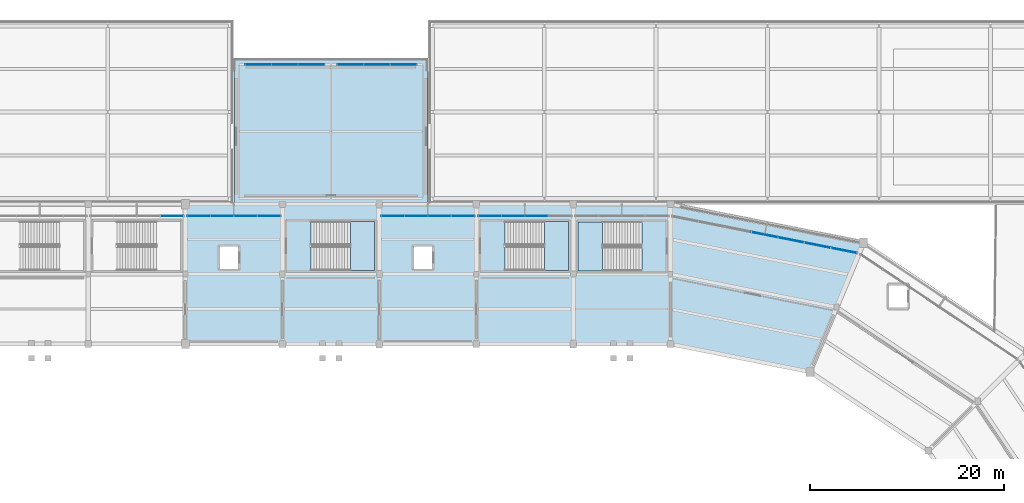
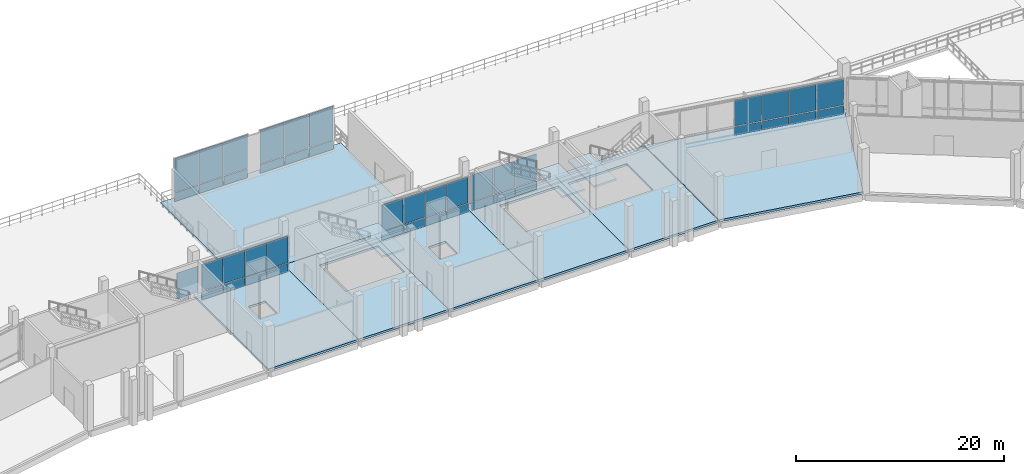
# One storey, part 67 of 111: 43 plates, 10 slabs, 10 elements without a shape of their own.
"""IFC4 building model written with IfcOpenShell, lengths in metres."""

from ifc_helpers import new_model, si_unit, direction, frame, origin, origin_2d, place, context, subcontext, project, spatial, polyline, rectangle, outline, extrude, material, layer, layer_set, type_object, element, aggregate, save


model = new_model("IFC4")

# Units and contexts
model_context = context("Model", 3, precision=1e-05, world=origin(), true_north=direction((0.0, 1.0)))
body_context = subcontext(model_context, "Body", "Model", "MODEL_VIEW")
ifc_project = project(units=[si_unit("LENGTHUNIT", "METRE"), si_unit("AREAUNIT", "SQUARE_METRE"), si_unit("VOLUMEUNIT", "CUBIC_METRE"), si_unit("PLANEANGLEUNIT", "RADIAN"), si_unit("MASSUNIT", "GRAM", prefix="KILO")], contexts=[model_context])

# Site, building, storey
site_placement = place(None, origin())
site = spatial("IfcSite", under=ifc_project, at=site_placement, CompositionType="ELEMENT")
building_placement = place(site_placement, origin())
building = spatial("IfcBuilding", under=site, at=building_placement, Name="Candeia Ridge Stadium", CompositionType="ELEMENT")
storey_placement = place(building_placement, frame((0.0, 0.0, 16.199951171875)))
storey = spatial("IfcBuildingStorey", under=building, at=storey_placement, Name="L03", CompositionType="ELEMENT", Elevation=16.199951171875)

# Stair, slab
ifc_material_1 = material(Name="Concrete C40/50", Category="concrete")
stair_type = type_object("IfcStairType", Name="Enclosed Core Half-Turn Stair 2450", PredefinedType="HALF_TURN_STAIR", material=ifc_material_1)
stair_1_placement = place(storey_placement, origin())
stair_1 = element("IfcStair", 1, at=stair_1_placement, inside=storey, type_object=stair_type, Name="L03 Enclosed exit stair ST04", PredefinedType="HALF_TURN_STAIR")
ifc_layer_1 = layer(ifc_material_1, 0.199951171875, Name="Concrete C40/50", Category="concrete")
ifc_layer_set_1 = layer_set([ifc_layer_1], Name="Concrete C40/50")
slab_type_1 = type_object("IfcSlabType", Name="Core Stair Landing Slab 200", PredefinedType="LANDING", material=ifc_layer_set_1)
slab_1_placement = place(storey_placement, frame((0.0, 0.0, 2.5)))
slab_1 = element("IfcSlab", 2, at=slab_1_placement, type_object=slab_type_1, Name="ST04 landing 1", PredefinedType="LANDING", context=body_context, shape_type="SweptSolid", body=[
    extrude(outline(polyline([(133.989990234375, 145.199951171875), (131.5, 145.199951171875), (131.5, 140.14990234375), (133.989990234375, 140.14990234375), (133.989990234375, 145.199951171875)])), origin(), (0.0, 0.0, 1.0), 0.199951171875),
])
aggregate(stair_1, [slab_1])

stair_2_placement = place(storey_placement, origin())
stair_2 = element("IfcStair", 3, at=stair_2_placement, inside=storey, type_object=stair_type, Name="L03 Enclosed exit stair ST10", PredefinedType="HALF_TURN_STAIR")
slab_2_placement = place(storey_placement, frame((0.0, 0.0, 2.5)))
slab_2 = element("IfcSlab", 4, at=slab_2_placement, type_object=slab_type_1, Name="ST10 landing 1", PredefinedType="LANDING", context=body_context, shape_type="SweptSolid", body=[
    extrude(outline(polyline([(128.010009765625, 140.199951171875), (130.5, 140.199951171875), (130.5, 145.25), (128.010009765625, 145.25), (128.010009765625, 140.199951171875)])), origin(), (0.0, 0.0, 1.0), 0.199951171875),
])
aggregate(stair_2, [slab_2])

stair_3_placement = place(storey_placement, origin())
stair_3 = element("IfcStair", 5, at=stair_3_placement, inside=storey, type_object=stair_type, Name="L03 Enclosed exit stair ST17", PredefinedType="HALF_TURN_STAIR")
slab_3_placement = place(storey_placement, frame((0.0, 0.0, 2.5)))
slab_3 = element("IfcSlab", 6, at=slab_3_placement, type_object=slab_type_1, Name="ST17 landing 1", PredefinedType="LANDING", context=body_context, shape_type="SweptSolid", body=[
    extrude(outline(polyline([(108.010009765625, 140.199951171875), (110.5, 140.199951171875), (110.5, 145.25), (108.010009765625, 145.25), (108.010009765625, 140.199951171875)])), origin(), (0.0, 0.0, 1.0), 0.199951171875),
])
aggregate(stair_3, [slab_3])

# Curtain wall, plates
ifc_material_2 = material(Name="Aluminium Anodized Warm Bronze", Category="aluminium")
curtain_wall_type_1 = type_object("IfcCurtainWallType", Name="Cardinal Entrance Gate Tall Glazed Curtain Wall", PredefinedType="NOTDEFINED", material=ifc_material_2)
curtain_wall_1_placement = place(storey_placement, origin())
curtain_wall_1 = element("IfcCurtainWall", 7, at=curtain_wall_1_placement, inside=storey, type_object=curtain_wall_type_1, Name="Unitised curtain wall CW-WNG-L03-157", PredefinedType="NOTDEFINED")
ifc_material_3 = material(Name="Laminated Acoustic Glazing", Category="glass")
ifc_layer_2 = layer(ifc_material_3, 0.035888671875, Name="Laminated Acoustic Glazing", Category="glass")
ifc_layer_set_2 = layer_set([ifc_layer_2], Name="Laminated Acoustic Glazing")
plate_type_1 = type_object("IfcPlateType", Name="Gate Tall Laminated Glass Panel GP3", PredefinedType="CURTAIN_PANEL", material=ifc_layer_set_2)
plate_1_placement = place(storey_placement, frame((98.523193359375, 161.39990234375, 1.14013671875), z_axis=(0.0, 0.0, 1.0), x_axis=(1.0, 0.0, 0.0)))
plate_1 = element("IfcPlate", 8, at=plate_1_placement, type_object=plate_type_1, Name="Curtain wall vision glass panel CW-WNG-L03-157-GP0", PredefinedType="CURTAIN_PANEL", context=body_context, shape_type="SweptSolid", body=[
    extrude(rectangle(XDim=2.65673828125, YDim=0.035888671875, at=origin_2d()), origin(), (0.0, 0.0, 1.0), 3.93994140625),
])
plate_2_placement = place(storey_placement, frame((101.25, 161.39990234375, 1.14013671875), z_axis=(0.0, 0.0, 1.0), x_axis=(1.0, 0.0, 0.0)))
plate_2 = element("IfcPlate", 9, at=plate_2_placement, type_object=plate_type_1, Name="Curtain wall vision glass panel CW-WNG-L03-157-GP1", PredefinedType="CURTAIN_PANEL", context=body_context, shape_type="SweptSolid", body=[
    extrude(rectangle(XDim=2.65673828125, YDim=0.035888671875, at=origin_2d()), origin(), (0.0, 0.0, 1.0), 3.93994140625),
])
plate_3_placement = place(storey_placement, frame((103.976806640625, 161.39990234375, 1.14013671875), z_axis=(0.0, 0.0, 1.0), x_axis=(1.0, 0.0, 0.0)))
plate_3 = element("IfcPlate", 10, at=plate_3_placement, type_object=plate_type_1, Name="Curtain wall vision glass panel CW-WNG-L03-157-GP2", PredefinedType="CURTAIN_PANEL", context=body_context, shape_type="SweptSolid", body=[
    extrude(rectangle(XDim=2.65673828125, YDim=0.035888671875, at=origin_2d()), origin(), (0.0, 0.0, 1.0), 3.93994140625),
])

curtain_wall_2_placement = place(storey_placement, origin())
curtain_wall_2 = element("IfcCurtainWall", 11, at=curtain_wall_2_placement, inside=storey, type_object=curtain_wall_type_1, Name="Unitised curtain wall CW-WNG-L03-158", PredefinedType="NOTDEFINED")
plate_4_placement = place(storey_placement, frame((108.023193359375, 161.39990234375, 1.14013671875), z_axis=(0.0, 0.0, 1.0), x_axis=(1.0, 0.0, 0.0)))
plate_4 = element("IfcPlate", 12, at=plate_4_placement, type_object=plate_type_1, Name="Curtain wall vision glass panel CW-WNG-L03-158-GP0", PredefinedType="CURTAIN_PANEL", context=body_context, shape_type="SweptSolid", body=[
    extrude(rectangle(XDim=2.65673828125, YDim=0.035888671875, at=origin_2d()), origin(), (0.0, 0.0, 1.0), 3.93994140625),
])
plate_5_placement = place(storey_placement, frame((110.75, 161.39990234375, 1.14013671875), z_axis=(0.0, 0.0, 1.0), x_axis=(1.0, 0.0, 0.0)))
plate_5 = element("IfcPlate", 13, at=plate_5_placement, type_object=plate_type_1, Name="Curtain wall vision glass panel CW-WNG-L03-158-GP1", PredefinedType="CURTAIN_PANEL", context=body_context, shape_type="SweptSolid", body=[
    extrude(rectangle(XDim=2.65673828125, YDim=0.035888671875, at=origin_2d()), origin(), (0.0, 0.0, 1.0), 3.93994140625),
])
plate_6_placement = place(storey_placement, frame((113.476806640625, 161.39990234375, 1.14013671875), z_axis=(0.0, 0.0, 1.0), x_axis=(1.0, 0.0, 0.0)))
plate_6 = element("IfcPlate", 14, at=plate_6_placement, type_object=plate_type_1, Name="Curtain wall vision glass panel CW-WNG-L03-158-GP2", PredefinedType="CURTAIN_PANEL", context=body_context, shape_type="SweptSolid", body=[
    extrude(rectangle(XDim=2.65673828125, YDim=0.035888671875, at=origin_2d()), origin(), (0.0, 0.0, 1.0), 3.93994140625),
])

# Slabs
ifc_layer_3 = layer(ifc_material_1, 0.25, Name="Concrete C40/50", Category="concrete")
ifc_layer_set_3 = layer_set([ifc_layer_3], Name="Concrete C40/50")
slab_type_2 = type_object("IfcSlabType", Name="Hospitality & Museum Slab 250", PredefinedType="FLOOR", material=ifc_layer_set_3)
slab_4_placement = place(storey_placement, frame((0.0, 0.0, -0.25)))
element("IfcSlab", 15, at=slab_4_placement, inside=storey, type_object=slab_type_2, Name="Bowl concourse sector slab L03 bay 01 SLB-L03-0109", PredefinedType="FLOOR", context=body_context, shape_type="SweptSolid", body=[
    extrude(outline(polyline([(131.0, 132.60009765625), (131.0, 147.0), (140.9599609375, 147.0), (140.9599609375, 132.60009765625), (131.0, 132.60009765625)]), holes=[polyline([(138.04931640625, 145.199951171875), (131.5, 145.199951171875), (131.5, 140.14990234375), (138.04931640625, 140.14990234375), (138.04931640625, 145.199951171875)])]), origin(), (0.0, 0.0, 1.0), 0.25),
])
slab_5_placement = place(storey_placement, frame((0.0, 0.0, -0.25)))
element("IfcSlab", 16, at=slab_5_placement, inside=storey, type_object=slab_type_2, Name="Bowl concourse sector slab L03 bay 02 SLB-L03-0110", PredefinedType="FLOOR", context=body_context, shape_type="SweptSolid", body=[
    extrude(outline(polyline([(121.0, 132.60009765625), (121.0, 147.0), (131.0, 147.0), (131.0, 132.60009765625), (121.0, 132.60009765625)]), holes=[polyline([(123.95068359375, 140.199951171875), (130.5, 140.199951171875), (130.5, 145.25), (123.95068359375, 145.25), (123.95068359375, 140.199951171875)])]), origin(), (0.0, 0.0, 1.0), 0.25),
])
slab_6_placement = place(storey_placement, frame((0.0, 0.0, -0.25)))
element("IfcSlab", 17, at=slab_6_placement, inside=storey, type_object=slab_type_2, Name="Bowl concourse sector slab L03 bay 03 SLB-L03-0111", PredefinedType="FLOOR", context=body_context, shape_type="SweptSolid", body=[
    extrude(outline(polyline([(111.0, 132.60009765625), (111.0, 147.0), (121.0, 147.0), (121.0, 132.60009765625), (111.0, 132.60009765625)]), holes=[polyline([(116.449951171875, 140.35009765625), (116.449951171875, 142.64990234375), (114.550048828125, 142.64990234375), (114.550048828125, 140.35009765625), (116.449951171875, 140.35009765625)])]), origin(), (0.0, 0.0, 1.0), 0.25),
])
slab_7_placement = place(storey_placement, frame((0.0, 0.0, -0.25)))
element("IfcSlab", 18, at=slab_7_placement, inside=storey, type_object=slab_type_2, Name="Bowl concourse sector slab L03 bay 04 SLB-L03-0112", PredefinedType="FLOOR", context=body_context, shape_type="SweptSolid", body=[
    extrude(outline(polyline([(101.0, 132.60009765625), (101.0, 147.0), (111.0, 147.0), (111.0, 132.60009765625), (101.0, 132.60009765625)]), holes=[polyline([(103.95068359375, 140.199951171875), (110.5, 140.199951171875), (110.5, 145.25), (103.95068359375, 145.25), (103.95068359375, 140.199951171875)])]), origin(), (0.0, 0.0, 1.0), 0.25),
])
slab_8_placement = place(storey_placement, frame((0.0, 0.0, -0.25)))
element("IfcSlab", 19, at=slab_8_placement, inside=storey, type_object=slab_type_2, Name="Bowl concourse sector slab L03 bay 05 SLB-L03-0113", PredefinedType="FLOOR", context=body_context, shape_type="SweptSolid", body=[
    extrude(outline(polyline([(91.0, 132.60009765625), (91.0, 147.0), (101.0, 147.0), (101.0, 132.60009765625), (91.0, 132.60009765625)]), holes=[polyline([(96.449951171875, 140.35009765625), (96.449951171875, 142.64990234375), (94.550048828125, 142.64990234375), (94.550048828125, 140.35009765625), (96.449951171875, 140.35009765625)])]), origin(), (0.0, 0.0, 1.0), 0.25),
])
slab_9_placement = place(storey_placement, frame((0.0, 0.0, -0.25)))
element("IfcSlab", 20, at=slab_9_placement, inside=storey, type_object=slab_type_2, Name="Bowl concourse sector slab L03 bay 36 SLB-L03-0144", PredefinedType="FLOOR", context=body_context, shape_type="SweptSolid", body=[
    extrude(outline(polyline([(141.039306640625, 132.59228515625), (141.039306640625, 146.9921875), (160.8994140625, 143.041748046875), (155.388916015625, 129.73779296875), (141.039306640625, 132.59228515625)])), origin(), (0.0, 0.0, 1.0), 0.25),
])
slab_10_placement = place(storey_placement, frame((0.0, 0.0, -0.25)))
element("IfcSlab", 21, at=slab_10_placement, inside=storey, type_object=slab_type_2, Name="Wing floor slab ngate SLB-L03-0293", PredefinedType="FLOOR", context=body_context, shape_type="SweptSolid", body=[
    extrude(outline(polyline([(96.0, 147.0), (96.0, 162.0), (116.0, 162.0), (116.0, 147.0), (96.0, 147.0)])), origin(), (0.0, 0.0, 1.0), 0.25),
])

# Curtain wall, plates
curtain_wall_type_2 = type_object("IfcCurtainWallType", Name="Concourse Recessed Unitised Curtain Wall", PredefinedType="NOTDEFINED", material=ifc_material_2)
curtain_wall_3_placement = place(storey_placement, origin())
curtain_wall_3 = element("IfcCurtainWall", 22, at=curtain_wall_3_placement, inside=storey, type_object=curtain_wall_type_2, Name="Unitised curtain wall CW-BWL-L03-01", PredefinedType="NOTDEFINED")
ifc_material_4 = material(Name="Aluminium Insulated Spandrel", Category="aluminium")
ifc_layer_4 = layer(ifc_material_4, 0.06494140625, Name="Aluminium Insulated Spandrel", Category="aluminium")
ifc_layer_set_4 = layer_set([ifc_layer_4], Name="Aluminium Insulated Spandrel")
plate_type_2 = type_object("IfcPlateType", Name="Insulated Bronze Spandrel Panel SP1", PredefinedType="CURTAIN_PANEL", material=ifc_layer_set_4)
plate_7_placement = place(storey_placement, frame((127.205078125, 145.800048828125, 0.0400390625), z_axis=(0.0, 0.0, 1.0), x_axis=(-1.0, 0.0, 0.0)))
plate_7 = element("IfcPlate", 23, at=plate_7_placement, type_object=plate_type_2, Name="Curtain wall spandrel panel CW-BWL-L03-01-SP1", PredefinedType="CURTAIN_PANEL", context=body_context, shape_type="SweptSolid", body=[
    extrude(rectangle(XDim=2.340087890625, YDim=0.06494140625, at=origin_2d()), origin(), (0.0, 0.0, 1.0), 0.981201171875),
])
plate_8_placement = place(storey_placement, frame((124.794921875, 145.800048828125, 0.0400390625), z_axis=(0.0, 0.0, 1.0), x_axis=(-1.0, 0.0, 0.0)))
plate_8 = element("IfcPlate", 24, at=plate_8_placement, type_object=plate_type_2, Name="Curtain wall spandrel panel CW-BWL-L03-01-SP2", PredefinedType="CURTAIN_PANEL", context=body_context, shape_type="SweptSolid", body=[
    extrude(rectangle(XDim=2.340087890625, YDim=0.06494140625, at=origin_2d()), origin(), (0.0, 0.0, 1.0), 0.981201171875),
])
plate_9_placement = place(storey_placement, frame((122.385009765625, 145.800048828125, 0.0400390625), z_axis=(0.0, 0.0, 1.0), x_axis=(-1.0, 0.0, 0.0)))
plate_9 = element("IfcPlate", 25, at=plate_9_placement, type_object=plate_type_2, Name="Curtain wall spandrel panel CW-BWL-L03-01-SP3", PredefinedType="CURTAIN_PANEL", context=body_context, shape_type="SweptSolid", body=[
    extrude(rectangle(XDim=2.340087890625, YDim=0.06494140625, at=origin_2d()), origin(), (0.0, 0.0, 1.0), 0.981201171875),
])

curtain_wall_4_placement = place(storey_placement, origin())
curtain_wall_4 = element("IfcCurtainWall", 26, at=curtain_wall_4_placement, inside=storey, type_object=curtain_wall_type_2, Name="Unitised curtain wall CW-BWL-L03-02", PredefinedType="NOTDEFINED")
ifc_layer_5 = layer(ifc_material_4, 0.06494140625, Name="Aluminium Insulated Spandrel", Category="aluminium")
ifc_layer_set_5 = layer_set([ifc_layer_5], Name="Aluminium Insulated Spandrel")
plate_type_3 = type_object("IfcPlateType", Name="Insulated Bronze Spandrel Panel SP2", PredefinedType="CURTAIN_PANEL", material=ifc_layer_set_5)
plate_10_placement = place(storey_placement, frame((119.614990234375, 145.800048828125, 0.0400390625), z_axis=(0.0, 0.0, 1.0), x_axis=(-1.0, 0.0, 0.0)))
plate_10 = element("IfcPlate", 27, at=plate_10_placement, type_object=plate_type_3, Name="Curtain wall spandrel panel CW-BWL-L03-02-SP0", PredefinedType="CURTAIN_PANEL", context=body_context, shape_type="SweptSolid", body=[
    extrude(rectangle(XDim=2.340087890625, YDim=0.06494140625, at=origin_2d()), origin(), (0.0, 0.0, 1.0), 0.97119140625),
])
plate_11_placement = place(storey_placement, frame((117.205078125, 145.800048828125, 0.0400390625), z_axis=(0.0, 0.0, 1.0), x_axis=(-1.0, 0.0, 0.0)))
plate_11 = element("IfcPlate", 28, at=plate_11_placement, type_object=plate_type_3, Name="Curtain wall spandrel panel CW-BWL-L03-02-SP1", PredefinedType="CURTAIN_PANEL", context=body_context, shape_type="SweptSolid", body=[
    extrude(rectangle(XDim=2.340087890625, YDim=0.06494140625, at=origin_2d()), origin(), (0.0, 0.0, 1.0), 0.97119140625),
])
plate_12_placement = place(storey_placement, frame((114.794921875, 145.800048828125, 0.0400390625), z_axis=(0.0, 0.0, 1.0), x_axis=(-1.0, 0.0, 0.0)))
plate_12 = element("IfcPlate", 29, at=plate_12_placement, type_object=plate_type_3, Name="Curtain wall spandrel panel CW-BWL-L03-02-SP2", PredefinedType="CURTAIN_PANEL", context=body_context, shape_type="SweptSolid", body=[
    extrude(rectangle(XDim=2.340087890625, YDim=0.06494140625, at=origin_2d()), origin(), (0.0, 0.0, 1.0), 0.97119140625),
])
plate_13_placement = place(storey_placement, frame((112.385009765625, 145.800048828125, 0.0400390625), z_axis=(0.0, 0.0, 1.0), x_axis=(-1.0, 0.0, 0.0)))
plate_13 = element("IfcPlate", 30, at=plate_13_placement, type_object=plate_type_3, Name="Curtain wall spandrel panel CW-BWL-L03-02-SP3", PredefinedType="CURTAIN_PANEL", context=body_context, shape_type="SweptSolid", body=[
    extrude(rectangle(XDim=2.340087890625, YDim=0.06494140625, at=origin_2d()), origin(), (0.0, 0.0, 1.0), 0.97119140625),
])

curtain_wall_5_placement = place(storey_placement, origin())
curtain_wall_5 = element("IfcCurtainWall", 31, at=curtain_wall_5_placement, inside=storey, type_object=curtain_wall_type_2, Name="Unitised curtain wall CW-BWL-L03-35", PredefinedType="NOTDEFINED")
ifc_layer_6 = layer(ifc_material_4, 0.06494140625, Name="Aluminium Insulated Spandrel", Category="aluminium")
ifc_layer_set_6 = layer_set([ifc_layer_6], Name="Aluminium Insulated Spandrel")
plate_type_4 = type_object("IfcPlateType", Name="Insulated Bronze Spandrel Panel SP4", PredefinedType="CURTAIN_PANEL", material=ifc_layer_set_6)
plate_14_placement = place(storey_placement, frame((158.900390625, 142.239501953125, 0.0400390625), z_axis=(0.0, 0.0, 1.0), x_axis=(-0.980785280696, 0.195090320544, 0.0)))
plate_14 = element("IfcPlate", 32, at=plate_14_placement, type_object=plate_type_4, Name="Curtain wall spandrel panel CW-BWL-L03-35-SP0", PredefinedType="CURTAIN_PANEL", context=body_context, shape_type="SweptSolid", body=[
    extrude(rectangle(XDim=2.710205078125, YDim=0.06494140625, at=origin_2d()), origin(), (0.0, 0.0, 1.0), 0.97119140625),
])
plate_15_placement = place(storey_placement, frame((156.173583984375, 142.78173828125, 0.0400390625), z_axis=(0.0, 0.0, 1.0), x_axis=(-0.980785280696, 0.195090320544, 0.0)))
plate_15 = element("IfcPlate", 33, at=plate_15_placement, type_object=plate_type_4, Name="Curtain wall spandrel panel CW-BWL-L03-35-SP1", PredefinedType="CURTAIN_PANEL", context=body_context, shape_type="SweptSolid", body=[
    extrude(rectangle(XDim=2.710205078125, YDim=0.06494140625, at=origin_2d()), origin(), (0.0, 0.0, 1.0), 0.97119140625),
])
plate_16_placement = place(storey_placement, frame((153.447021484375, 143.32421875, 0.0400390625), z_axis=(0.0, 0.0, 1.0), x_axis=(-0.980785280696, 0.195090320544, 0.0)))
plate_16 = element("IfcPlate", 34, at=plate_16_placement, type_object=plate_type_4, Name="Curtain wall spandrel panel CW-BWL-L03-35-SP2", PredefinedType="CURTAIN_PANEL", context=body_context, shape_type="SweptSolid", body=[
    extrude(rectangle(XDim=2.710205078125, YDim=0.06494140625, at=origin_2d()), origin(), (0.0, 0.0, 1.0), 0.97119140625),
])
plate_17_placement = place(storey_placement, frame((150.72021484375, 143.86669921875, 0.0400390625), z_axis=(0.0, 0.0, 1.0), x_axis=(-0.980785280696, 0.195090320544, 0.0)))
plate_17 = element("IfcPlate", 35, at=plate_17_placement, type_object=plate_type_4, Name="Curtain wall spandrel panel CW-BWL-L03-35-SP3", PredefinedType="CURTAIN_PANEL", context=body_context, shape_type="SweptSolid", body=[
    extrude(rectangle(XDim=2.710205078125, YDim=0.06494140625, at=origin_2d()), origin(), (0.0, 0.0, 1.0), 0.97119140625),
])

curtain_wall_6_placement = place(storey_placement, origin())
curtain_wall_6 = element("IfcCurtainWall", 36, at=curtain_wall_6_placement, inside=storey, type_object=curtain_wall_type_2, Name="Unitised curtain wall CW-BWL-L03-04", PredefinedType="NOTDEFINED")
ifc_layer_7 = layer(ifc_material_4, 0.06494140625, Name="Aluminium Insulated Spandrel", Category="aluminium")
ifc_layer_set_7 = layer_set([ifc_layer_7], Name="Aluminium Insulated Spandrel")
plate_type_5 = type_object("IfcPlateType", Name="Insulated Bronze Spandrel Panel SP5", PredefinedType="CURTAIN_PANEL", material=ifc_layer_set_7)
plate_18_placement = place(storey_placement, frame((99.614990234375, 145.800048828125, 0.0400390625), z_axis=(0.0, 0.0, 1.0), x_axis=(-1.0, 0.0, 0.0)))
plate_18 = element("IfcPlate", 37, at=plate_18_placement, type_object=plate_type_5, Name="Curtain wall spandrel panel CW-BWL-L03-04-SP0", PredefinedType="CURTAIN_PANEL", context=body_context, shape_type="SweptSolid", body=[
    extrude(rectangle(XDim=2.340087890625, YDim=0.06494140625, at=origin_2d()), origin(), (0.0, 0.0, 1.0), 0.981201171875),
])
plate_19_placement = place(storey_placement, frame((97.205078125, 145.800048828125, 0.0400390625), z_axis=(0.0, 0.0, 1.0), x_axis=(-1.0, 0.0, 0.0)))
plate_19 = element("IfcPlate", 38, at=plate_19_placement, type_object=plate_type_5, Name="Curtain wall spandrel panel CW-BWL-L03-04-SP1", PredefinedType="CURTAIN_PANEL", context=body_context, shape_type="SweptSolid", body=[
    extrude(rectangle(XDim=2.340087890625, YDim=0.06494140625, at=origin_2d()), origin(), (0.0, 0.0, 1.0), 0.981201171875),
])
plate_20_placement = place(storey_placement, frame((94.794921875, 145.800048828125, 0.0400390625), z_axis=(0.0, 0.0, 1.0), x_axis=(-1.0, 0.0, 0.0)))
plate_20 = element("IfcPlate", 39, at=plate_20_placement, type_object=plate_type_5, Name="Curtain wall spandrel panel CW-BWL-L03-04-SP2", PredefinedType="CURTAIN_PANEL", context=body_context, shape_type="SweptSolid", body=[
    extrude(rectangle(XDim=2.340087890625, YDim=0.06494140625, at=origin_2d()), origin(), (0.0, 0.0, 1.0), 0.981201171875),
])
plate_21_placement = place(storey_placement, frame((92.385009765625, 145.800048828125, 0.0400390625), z_axis=(0.0, 0.0, 1.0), x_axis=(-1.0, 0.0, 0.0)))
plate_21 = element("IfcPlate", 40, at=plate_21_placement, type_object=plate_type_5, Name="Curtain wall spandrel panel CW-BWL-L03-04-SP3", PredefinedType="CURTAIN_PANEL", context=body_context, shape_type="SweptSolid", body=[
    extrude(rectangle(XDim=2.340087890625, YDim=0.06494140625, at=origin_2d()), origin(), (0.0, 0.0, 1.0), 0.981201171875),
])

# Plate
ifc_layer_8 = layer(ifc_material_4, 0.06494140625, Name="Aluminium Insulated Spandrel", Category="aluminium")
ifc_layer_set_8 = layer_set([ifc_layer_8], Name="Aluminium Insulated Spandrel")
plate_type_6 = type_object("IfcPlateType", Name="Insulated Cedar-Tone Spandrel Panel SP3", PredefinedType="CURTAIN_PANEL", material=ifc_layer_set_8)
plate_22_placement = place(storey_placement, frame((98.523193359375, 161.39990234375, 0.0400390625), z_axis=(0.0, 0.0, 1.0), x_axis=(1.0, 0.0, 0.0)))
plate_22 = element("IfcPlate", 41, at=plate_22_placement, type_object=plate_type_6, Name="Curtain wall spandrel panel CW-WNG-L03-157-SP0", PredefinedType="CURTAIN_PANEL", context=body_context, shape_type="SweptSolid", body=[
    extrude(rectangle(XDim=2.65673828125, YDim=0.06494140625, at=origin_2d()), origin(), (0.0, 0.0, 1.0), 1.02001953125),
])

plate_23_placement = place(storey_placement, frame((101.25, 161.39990234375, 0.0400390625), z_axis=(0.0, 0.0, 1.0), x_axis=(1.0, 0.0, 0.0)))
plate_23 = element("IfcPlate", 42, at=plate_23_placement, type_object=plate_type_6, Name="Curtain wall spandrel panel CW-WNG-L03-157-SP1", PredefinedType="CURTAIN_PANEL", context=body_context, shape_type="SweptSolid", body=[
    extrude(rectangle(XDim=2.65673828125, YDim=0.06494140625, at=origin_2d()), origin(), (0.0, 0.0, 1.0), 1.02001953125),
])

plate_24_placement = place(storey_placement, frame((103.976806640625, 161.39990234375, 0.0400390625), z_axis=(0.0, 0.0, 1.0), x_axis=(1.0, 0.0, 0.0)))
plate_24 = element("IfcPlate", 43, at=plate_24_placement, type_object=plate_type_6, Name="Curtain wall spandrel panel CW-WNG-L03-157-SP2", PredefinedType="CURTAIN_PANEL", context=body_context, shape_type="SweptSolid", body=[
    extrude(rectangle(XDim=2.65673828125, YDim=0.06494140625, at=origin_2d()), origin(), (0.0, 0.0, 1.0), 1.02001953125),
])

aggregate(curtain_wall_1, [plate_22, plate_1, plate_23, plate_2, plate_24, plate_3])

plate_25_placement = place(storey_placement, frame((108.023193359375, 161.39990234375, 0.0400390625), z_axis=(0.0, 0.0, 1.0), x_axis=(1.0, 0.0, 0.0)))
plate_25 = element("IfcPlate", 44, at=plate_25_placement, type_object=plate_type_6, Name="Curtain wall spandrel panel CW-WNG-L03-158-SP0", PredefinedType="CURTAIN_PANEL", context=body_context, shape_type="SweptSolid", body=[
    extrude(rectangle(XDim=2.65673828125, YDim=0.06494140625, at=origin_2d()), origin(), (0.0, 0.0, 1.0), 1.02001953125),
])

plate_26_placement = place(storey_placement, frame((110.75, 161.39990234375, 0.0400390625), z_axis=(0.0, 0.0, 1.0), x_axis=(1.0, 0.0, 0.0)))
plate_26 = element("IfcPlate", 45, at=plate_26_placement, type_object=plate_type_6, Name="Curtain wall spandrel panel CW-WNG-L03-158-SP1", PredefinedType="CURTAIN_PANEL", context=body_context, shape_type="SweptSolid", body=[
    extrude(rectangle(XDim=2.65673828125, YDim=0.06494140625, at=origin_2d()), origin(), (0.0, 0.0, 1.0), 1.02001953125),
])

plate_27_placement = place(storey_placement, frame((113.476806640625, 161.39990234375, 0.0400390625), z_axis=(0.0, 0.0, 1.0), x_axis=(1.0, 0.0, 0.0)))
plate_27 = element("IfcPlate", 46, at=plate_27_placement, type_object=plate_type_6, Name="Curtain wall spandrel panel CW-WNG-L03-158-SP2", PredefinedType="CURTAIN_PANEL", context=body_context, shape_type="SweptSolid", body=[
    extrude(rectangle(XDim=2.65673828125, YDim=0.06494140625, at=origin_2d()), origin(), (0.0, 0.0, 1.0), 1.02001953125),
])

aggregate(curtain_wall_2, [plate_25, plate_4, plate_26, plate_5, plate_27, plate_6])

ifc_material_5 = material(Name="Tempered Low-E Double Glazing", Category="glass")
ifc_layer_9 = layer(ifc_material_5, 0.035888671875, Name="Tempered Low-E Double Glazing", Category="glass")
ifc_layer_set_9 = layer_set([ifc_layer_9], Name="Tempered Low-E Double Glazing")
plate_type_7 = type_object("IfcPlateType", Name="Solar Control Vision Glass Panel GP2", PredefinedType="CURTAIN_PANEL", material=ifc_layer_set_9)
plate_28_placement = place(storey_placement, frame((99.614990234375, 145.800048828125, 1.10107421875), z_axis=(0.0, 0.0, 1.0), x_axis=(-1.0, 0.0, 0.0)))
plate_28 = element("IfcPlate", 47, at=plate_28_placement, type_object=plate_type_7, Name="Curtain wall vision glass panel CW-BWL-L03-04-GP0", PredefinedType="CURTAIN_PANEL", context=body_context, shape_type="SweptSolid", body=[
    extrude(rectangle(XDim=2.340087890625, YDim=0.035888671875, at=origin_2d()), origin(), (0.0, 0.0, 1.0), 3.103759765625),
])

plate_29_placement = place(storey_placement, frame((97.205078125, 145.800048828125, 1.10107421875), z_axis=(0.0, 0.0, 1.0), x_axis=(-1.0, 0.0, 0.0)))
plate_29 = element("IfcPlate", 48, at=plate_29_placement, type_object=plate_type_7, Name="Curtain wall vision glass panel CW-BWL-L03-04-GP1", PredefinedType="CURTAIN_PANEL", context=body_context, shape_type="SweptSolid", body=[
    extrude(rectangle(XDim=2.340087890625, YDim=0.035888671875, at=origin_2d()), origin(), (0.0, 0.0, 1.0), 3.103759765625),
])

plate_30_placement = place(storey_placement, frame((94.794921875, 145.800048828125, 1.10107421875), z_axis=(0.0, 0.0, 1.0), x_axis=(-1.0, 0.0, 0.0)))
plate_30 = element("IfcPlate", 49, at=plate_30_placement, type_object=plate_type_7, Name="Curtain wall vision glass panel CW-BWL-L03-04-GP2", PredefinedType="CURTAIN_PANEL", context=body_context, shape_type="SweptSolid", body=[
    extrude(rectangle(XDim=2.340087890625, YDim=0.035888671875, at=origin_2d()), origin(), (0.0, 0.0, 1.0), 3.103759765625),
])

plate_31_placement = place(storey_placement, frame((92.385009765625, 145.800048828125, 1.10107421875), z_axis=(0.0, 0.0, 1.0), x_axis=(-1.0, 0.0, 0.0)))
plate_31 = element("IfcPlate", 50, at=plate_31_placement, type_object=plate_type_7, Name="Curtain wall vision glass panel CW-BWL-L03-04-GP3", PredefinedType="CURTAIN_PANEL", context=body_context, shape_type="SweptSolid", body=[
    extrude(rectangle(XDim=2.340087890625, YDim=0.035888671875, at=origin_2d()), origin(), (0.0, 0.0, 1.0), 3.103759765625),
])

aggregate(curtain_wall_6, [plate_18, plate_28, plate_19, plate_29, plate_20, plate_30, plate_21, plate_31])

# Curtain wall, plate
curtain_wall_7_placement = place(storey_placement, origin())
curtain_wall_7 = element("IfcCurtainWall", 51, at=curtain_wall_7_placement, inside=storey, type_object=curtain_wall_type_2, Name="Unitised curtain wall CW-BWL-L03-05", PredefinedType="NOTDEFINED")
ifc_layer_10 = layer(ifc_material_5, 0.035888671875, Name="Tempered Low-E Double Glazing", Category="glass")
ifc_layer_set_10 = layer_set([ifc_layer_10], Name="Tempered Low-E Double Glazing")
plate_type_8 = type_object("IfcPlateType", Name="Solar Control Vision Glass Panel GP5", PredefinedType="CURTAIN_PANEL", material=ifc_layer_set_10)
plate_32_placement = place(storey_placement, frame((89.614990234375, 145.800048828125, 1.09130859375), z_axis=(0.0, 0.0, 1.0), x_axis=(-1.0, 0.0, 0.0)))
plate_32 = element("IfcPlate", 52, at=plate_32_placement, type_object=plate_type_8, Name="Curtain wall vision glass panel CW-BWL-L03-05-GP0", PredefinedType="CURTAIN_PANEL", context=body_context, shape_type="SweptSolid", body=[
    extrude(rectangle(XDim=2.340087890625, YDim=0.035888671875, at=origin_2d()), origin(), (0.0, 0.0, 1.0), 3.07373046875),
])
aggregate(curtain_wall_7, [plate_32])

# Plate
plate_33_placement = place(storey_placement, frame((158.900390625, 142.239501953125, 1.09130859375), z_axis=(0.0, 0.0, 1.0), x_axis=(-0.980785280696, 0.195090320544, 0.0)))
plate_33 = element("IfcPlate", 53, at=plate_33_placement, type_object=plate_type_8, Name="Curtain wall vision glass panel CW-BWL-L03-35-GP0", PredefinedType="CURTAIN_PANEL", context=body_context, shape_type="SweptSolid", body=[
    extrude(rectangle(XDim=2.710205078125, YDim=0.035888671875, at=origin_2d()), origin(), (0.0, 0.0, 1.0), 3.07373046875),
])

plate_34_placement = place(storey_placement, frame((156.173583984375, 142.78173828125, 1.09130859375), z_axis=(0.0, 0.0, 1.0), x_axis=(-0.980785280696, 0.195090320544, 0.0)))
plate_34 = element("IfcPlate", 54, at=plate_34_placement, type_object=plate_type_8, Name="Curtain wall vision glass panel CW-BWL-L03-35-GP1", PredefinedType="CURTAIN_PANEL", context=body_context, shape_type="SweptSolid", body=[
    extrude(rectangle(XDim=2.710205078125, YDim=0.035888671875, at=origin_2d()), origin(), (0.0, 0.0, 1.0), 3.07373046875),
])

plate_35_placement = place(storey_placement, frame((153.447021484375, 143.32421875, 1.09130859375), z_axis=(0.0, 0.0, 1.0), x_axis=(-0.980785280696, 0.195090320544, 0.0)))
plate_35 = element("IfcPlate", 55, at=plate_35_placement, type_object=plate_type_8, Name="Curtain wall vision glass panel CW-BWL-L03-35-GP2", PredefinedType="CURTAIN_PANEL", context=body_context, shape_type="SweptSolid", body=[
    extrude(rectangle(XDim=2.710205078125, YDim=0.035888671875, at=origin_2d()), origin(), (0.0, 0.0, 1.0), 3.07373046875),
])

plate_36_placement = place(storey_placement, frame((150.72021484375, 143.86669921875, 1.09130859375), z_axis=(0.0, 0.0, 1.0), x_axis=(-0.980785280696, 0.195090320544, 0.0)))
plate_36 = element("IfcPlate", 56, at=plate_36_placement, type_object=plate_type_8, Name="Curtain wall vision glass panel CW-BWL-L03-35-GP3", PredefinedType="CURTAIN_PANEL", context=body_context, shape_type="SweptSolid", body=[
    extrude(rectangle(XDim=2.710205078125, YDim=0.035888671875, at=origin_2d()), origin(), (0.0, 0.0, 1.0), 3.07373046875),
])

aggregate(curtain_wall_5, [plate_14, plate_33, plate_15, plate_34, plate_16, plate_35, plate_17, plate_36])

ifc_layer_11 = layer(ifc_material_5, 0.035888671875, Name="Tempered Low-E Double Glazing", Category="glass")
ifc_layer_set_11 = layer_set([ifc_layer_11], Name="Tempered Low-E Double Glazing")
plate_type_9 = type_object("IfcPlateType", Name="Solar Control Vision Glass Panel GP7", PredefinedType="CURTAIN_PANEL", material=ifc_layer_set_11)
plate_37_placement = place(storey_placement, frame((127.205078125, 145.800048828125, 1.10107421875), z_axis=(0.0, 0.0, 1.0), x_axis=(-1.0, 0.0, 0.0)))
plate_37 = element("IfcPlate", 57, at=plate_37_placement, type_object=plate_type_9, Name="Curtain wall vision glass panel CW-BWL-L03-01-GP1", PredefinedType="CURTAIN_PANEL", context=body_context, shape_type="SweptSolid", body=[
    extrude(rectangle(XDim=2.340087890625, YDim=0.035888671875, at=origin_2d()), origin(), (0.0, 0.0, 1.0), 3.103759765625),
])

plate_38_placement = place(storey_placement, frame((124.794921875, 145.800048828125, 1.10107421875), z_axis=(0.0, 0.0, 1.0), x_axis=(-1.0, 0.0, 0.0)))
plate_38 = element("IfcPlate", 58, at=plate_38_placement, type_object=plate_type_9, Name="Curtain wall vision glass panel CW-BWL-L03-01-GP2", PredefinedType="CURTAIN_PANEL", context=body_context, shape_type="SweptSolid", body=[
    extrude(rectangle(XDim=2.340087890625, YDim=0.035888671875, at=origin_2d()), origin(), (0.0, 0.0, 1.0), 3.103759765625),
])

plate_39_placement = place(storey_placement, frame((122.385009765625, 145.800048828125, 1.10107421875), z_axis=(0.0, 0.0, 1.0), x_axis=(-1.0, 0.0, 0.0)))
plate_39 = element("IfcPlate", 59, at=plate_39_placement, type_object=plate_type_9, Name="Curtain wall vision glass panel CW-BWL-L03-01-GP3", PredefinedType="CURTAIN_PANEL", context=body_context, shape_type="SweptSolid", body=[
    extrude(rectangle(XDim=2.340087890625, YDim=0.035888671875, at=origin_2d()), origin(), (0.0, 0.0, 1.0), 3.103759765625),
])

aggregate(curtain_wall_3, [plate_7, plate_37, plate_8, plate_38, plate_9, plate_39])

ifc_layer_12 = layer(ifc_material_5, 0.035888671875, Name="Tempered Low-E Double Glazing", Category="glass")
ifc_layer_set_12 = layer_set([ifc_layer_12], Name="Tempered Low-E Double Glazing")
plate_type_10 = type_object("IfcPlateType", Name="Solar Control Vision Glass Panel GP8", PredefinedType="CURTAIN_PANEL", material=ifc_layer_set_12)
plate_40_placement = place(storey_placement, frame((119.614990234375, 145.800048828125, 1.09130859375), z_axis=(0.0, 0.0, 1.0), x_axis=(-1.0, 0.0, 0.0)))
plate_40 = element("IfcPlate", 60, at=plate_40_placement, type_object=plate_type_10, Name="Curtain wall vision glass panel CW-BWL-L03-02-GP0", PredefinedType="CURTAIN_PANEL", context=body_context, shape_type="SweptSolid", body=[
    extrude(rectangle(XDim=2.340087890625, YDim=0.035888671875, at=origin_2d()), origin(), (0.0, 0.0, 1.0), 3.07373046875),
])

plate_41_placement = place(storey_placement, frame((117.205078125, 145.800048828125, 1.09130859375), z_axis=(0.0, 0.0, 1.0), x_axis=(-1.0, 0.0, 0.0)))
plate_41 = element("IfcPlate", 61, at=plate_41_placement, type_object=plate_type_10, Name="Curtain wall vision glass panel CW-BWL-L03-02-GP1", PredefinedType="CURTAIN_PANEL", context=body_context, shape_type="SweptSolid", body=[
    extrude(rectangle(XDim=2.340087890625, YDim=0.035888671875, at=origin_2d()), origin(), (0.0, 0.0, 1.0), 3.07373046875),
])

plate_42_placement = place(storey_placement, frame((114.794921875, 145.800048828125, 1.09130859375), z_axis=(0.0, 0.0, 1.0), x_axis=(-1.0, 0.0, 0.0)))
plate_42 = element("IfcPlate", 62, at=plate_42_placement, type_object=plate_type_10, Name="Curtain wall vision glass panel CW-BWL-L03-02-GP2", PredefinedType="CURTAIN_PANEL", context=body_context, shape_type="SweptSolid", body=[
    extrude(rectangle(XDim=2.340087890625, YDim=0.035888671875, at=origin_2d()), origin(), (0.0, 0.0, 1.0), 3.07373046875),
])

plate_43_placement = place(storey_placement, frame((112.385009765625, 145.800048828125, 1.09130859375), z_axis=(0.0, 0.0, 1.0), x_axis=(-1.0, 0.0, 0.0)))
plate_43 = element("IfcPlate", 63, at=plate_43_placement, type_object=plate_type_10, Name="Curtain wall vision glass panel CW-BWL-L03-02-GP3", PredefinedType="CURTAIN_PANEL", context=body_context, shape_type="SweptSolid", body=[
    extrude(rectangle(XDim=2.340087890625, YDim=0.035888671875, at=origin_2d()), origin(), (0.0, 0.0, 1.0), 3.07373046875),
])

aggregate(curtain_wall_4, [plate_10, plate_40, plate_11, plate_41, plate_12, plate_42, plate_13, plate_43])

save(model, "model.ifc")
